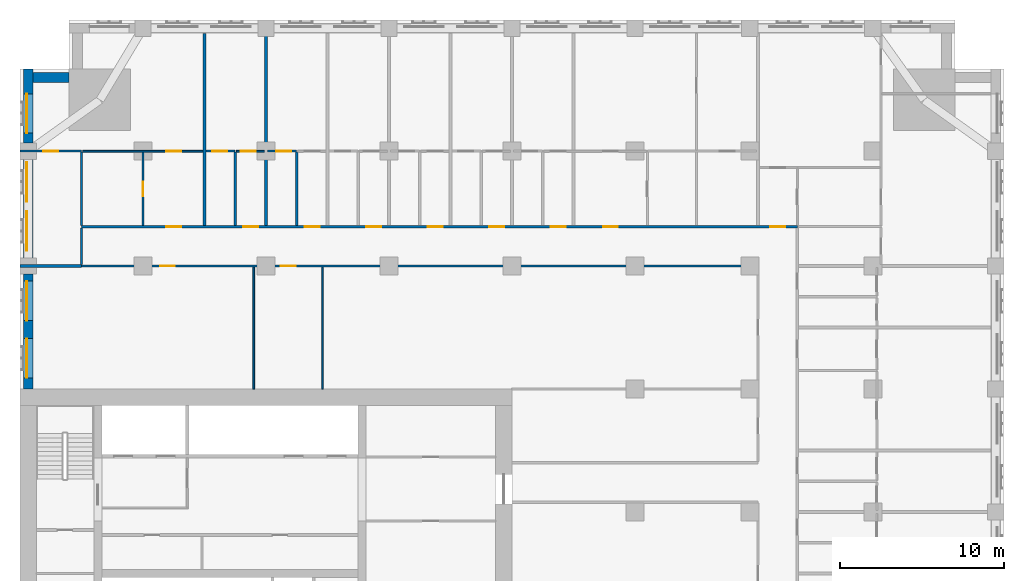
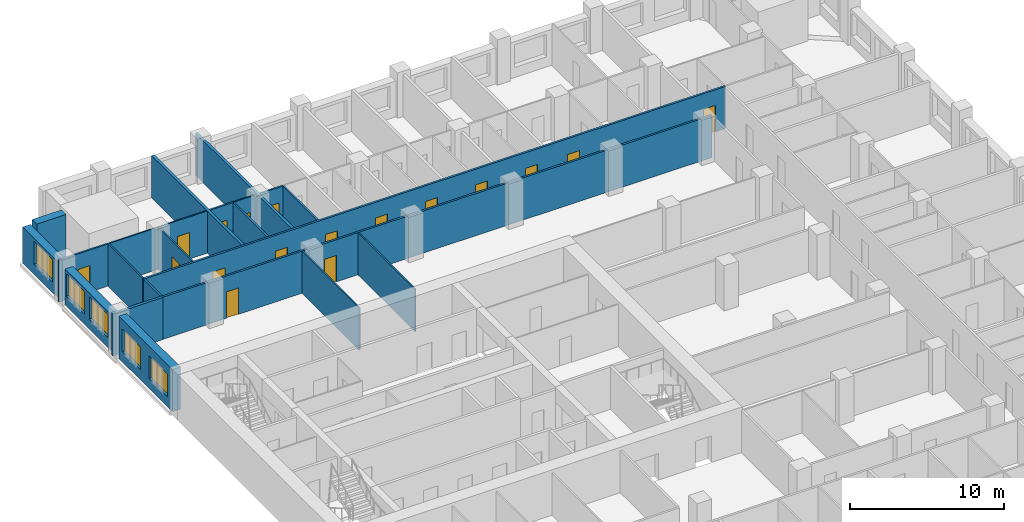
# One storey, part 9 of 15: 21 walls, 17 doors, 5 windows, 22 openings.
"""IFC4 building model written with IfcOpenShell, lengths in metres."""

from ifc_helpers import new_model, si_unit, direction, frame, frame_2d, origin, place, context, subcontext, project, spatial, rectangle, extrude, material, layer, layer_set, type_object, element, fill, save


model = new_model("IFC4")

# Units and contexts
model_context = context("Model", 3, precision=1e-05, world=origin(), true_north=direction((0.0, 1.0)))
body_context = subcontext(model_context, "Body", "Model", "MODEL_VIEW")
ifc_project = project(units=[si_unit("LENGTHUNIT", "METRE"), si_unit("AREAUNIT", "SQUARE_METRE"), si_unit("VOLUMEUNIT", "CUBIC_METRE"), si_unit("PLANEANGLEUNIT", "RADIAN"), si_unit("MASSUNIT", "GRAM", prefix="KILO")], contexts=[model_context])

# Site, building, storey
site_placement = place(None, origin())
site = spatial("IfcSite", under=ifc_project, at=site_placement, CompositionType="ELEMENT")
building_placement = place(site_placement, origin())
building = spatial("IfcBuilding", under=site, at=building_placement, Name="Tamorin Gate", CompositionType="ELEMENT")
storey_placement = place(building_placement, frame((0.0, 0.0, 97.10009765625)))
storey = spatial("IfcBuildingStorey", under=building, at=storey_placement, Name="L23", CompositionType="ELEMENT", Elevation=97.10009765625)

# Wall
ifc_material_1 = material(Name="Precast concrete C40/50", Category="concrete")
ifc_layer_1 = layer(ifc_material_1, 0.60009765625)
ifc_layer_set_1 = layer_set([ifc_layer_1], Name="Precast concrete C40/50")
wall_type_1 = type_object("IfcWallType", Name="Board-marked concrete facade panel 600", PredefinedType="SOLIDWALL", material=ifc_layer_set_1)
wall_1_placement = place(storey_placement, frame((33.0, 101.5, 0.0), z_axis=(0.0, 0.0, 1.0), x_axis=(-1.0, 0.0, 0.0)))
element("IfcWall", 1, at=wall_1_placement, inside=storey, type_object=wall_type_1, Name="Facade panel", PredefinedType="SOLIDWALL", context=body_context, shape_type="SweptSolid", body=[
    extrude(rectangle(XDim=2.199951171875, YDim=0.60009765625, at=frame_2d((1.10009765625, 0.0))), origin(), (0.0, 0.0, 1.0), 3.349853515625),
])

# Wall, opening, window
wall_2_placement = place(storey_placement, frame((30.5, 102.0, 0.0), z_axis=(0.0, 0.0, 1.0), x_axis=(0.0, -1.0, 0.0)))
wall_2 = element("IfcWall", 2, at=wall_2_placement, inside=storey, type_object=wall_type_1, Name="Facade panel", PredefinedType="SOLIDWALL", context=body_context, shape_type="SweptSolid", body=[
    extrude(rectangle(XDim=4.5, YDim=0.60009765625, at=frame_2d((2.25, 0.0))), origin(), (0.0, 0.0, 1.0), 2.849853515625),
])
opening_1_placement = place(wall_2_placement, frame((1.5, 0.0, 0.800048828125)))
opening_1 = element("IfcOpeningElement", 3, at=opening_1_placement, cuts=wall_2, Name="Opening WN1", PredefinedType="OPENING", context=body_context, shape_type="SweptSolid", body=[
    extrude(rectangle(XDim=2.39990234375, YDim=1.800048828125, at=frame_2d((1.199951171875, 0.89990234375))), frame((0.0, 0.31005859375, 0.0), z_axis=(0.0, -1.0, 0.0), x_axis=(1.0, 0.0, 0.0)), (0.0, 0.0, 1.0), 0.6201171875),
])
ifc_material_2 = material(Name="Clear glass in aluminium frame", Category="aluminium")
window_type = type_object("IfcWindowType", Name="Deep-set window 2400x1800", PartitioningType="SINGLE_PANEL", PredefinedType="WINDOW", material=ifc_material_2)
window_1_placement = place(opening_1_placement, origin())
window_1 = element("IfcWindow", 4, at=window_1_placement, inside=storey, type_object=window_type, Name="Deep-set window", OverallHeight=1.800048828125, OverallWidth=2.39990234375, PartitioningType="SINGLE_PANEL", PredefinedType="WINDOW", context=body_context, shape_type="SweptSolid", body=[
    extrude(rectangle(XDim=2.39990234375, YDim=1.800048828125, at=frame_2d((1.199951171875, 0.89990234375))), frame((0.0, -0.070068359375, 0.0), z_axis=(0.0, -1.0, 0.0), x_axis=(1.0, 0.0, 0.0)), (0.0, 0.0, 1.0), 0.06005859375),
])
fill(opening_1, window_1)

# Wall, openings, windows
wall_3_placement = place(storey_placement, frame((30.5, 96.5, 0.0), z_axis=(0.0, 0.0, 1.0), x_axis=(0.0, -1.0, 0.0)))
wall_3 = element("IfcWall", 5, at=wall_3_placement, inside=storey, type_object=wall_type_1, Name="Facade panel", PredefinedType="SOLIDWALL", context=body_context, shape_type="SweptSolid", body=[
    extrude(rectangle(XDim=6.0, YDim=0.60009765625, at=frame_2d((3.0, 0.0))), origin(), (0.0, 0.0, 1.0), 2.849853515625),
])
opening_2_placement = place(wall_3_placement, frame((3.175048828125, 0.0, 0.800048828125)))
opening_2 = element("IfcOpeningElement", 6, at=opening_2_placement, cuts=wall_3, Name="Opening WN1", PredefinedType="OPENING", context=body_context, shape_type="SweptSolid", body=[
    extrude(rectangle(XDim=2.39990234375, YDim=1.800048828125, at=frame_2d((1.199951171875, 0.89990234375))), frame((0.0, 0.31005859375, 0.0), z_axis=(0.0, -1.0, 0.0), x_axis=(1.0, 0.0, 0.0)), (0.0, 0.0, 1.0), 0.6201171875),
])
opening_3_placement = place(wall_3_placement, frame((0.175048828125, 0.0, 0.800048828125)))
opening_3 = element("IfcOpeningElement", 7, at=opening_3_placement, cuts=wall_3, Name="Opening WN1", PredefinedType="OPENING", context=body_context, shape_type="SweptSolid", body=[
    extrude(rectangle(XDim=2.39990234375, YDim=1.800048828125, at=frame_2d((1.199951171875, 0.89990234375))), frame((0.0, 0.31005859375, 0.0), z_axis=(0.0, -1.0, 0.0), x_axis=(1.0, 0.0, 0.0)), (0.0, 0.0, 1.0), 0.6201171875),
])
window_2_placement = place(opening_2_placement, origin())
window_2 = element("IfcWindow", 8, at=window_2_placement, inside=storey, type_object=window_type, Name="Deep-set window", OverallHeight=1.800048828125, OverallWidth=2.39990234375, PartitioningType="SINGLE_PANEL", PredefinedType="WINDOW", context=body_context, shape_type="SweptSolid", body=[
    extrude(rectangle(XDim=2.39990234375, YDim=1.800048828125, at=frame_2d((1.199951171875, 0.89990234375))), frame((0.0, -0.070068359375, 0.0), z_axis=(0.0, -1.0, 0.0), x_axis=(1.0, 0.0, 0.0)), (0.0, 0.0, 1.0), 0.06005859375),
])
fill(opening_2, window_2)
window_3_placement = place(opening_3_placement, origin())
window_3 = element("IfcWindow", 9, at=window_3_placement, inside=storey, type_object=window_type, Name="Deep-set window", OverallHeight=1.800048828125, OverallWidth=2.39990234375, PartitioningType="SINGLE_PANEL", PredefinedType="WINDOW", context=body_context, shape_type="SweptSolid", body=[
    extrude(rectangle(XDim=2.39990234375, YDim=1.800048828125, at=frame_2d((1.199951171875, 0.89990234375))), frame((0.0, -0.070068359375, 0.0), z_axis=(0.0, -1.0, 0.0), x_axis=(1.0, 0.0, 0.0)), (0.0, 0.0, 1.0), 0.06005859375),
])
fill(opening_3, window_3)

wall_4_placement = place(storey_placement, frame((30.5, 89.5, 0.0), z_axis=(0.0, 0.0, 1.0), x_axis=(0.0, -1.0, 0.0)))
wall_4 = element("IfcWall", 10, at=wall_4_placement, inside=storey, type_object=wall_type_1, Name="Facade panel", PredefinedType="SOLIDWALL", context=body_context, shape_type="SweptSolid", body=[
    extrude(rectangle(XDim=7.0, YDim=0.60009765625, at=frame_2d((3.5, 0.0))), origin(), (0.0, 0.0, 1.0), 3.349853515625),
])
opening_4_placement = place(wall_4_placement, frame((3.925048828125, 0.0, 0.800048828125)))
opening_4 = element("IfcOpeningElement", 11, at=opening_4_placement, cuts=wall_4, Name="Opening WN1", PredefinedType="OPENING", context=body_context, shape_type="SweptSolid", body=[
    extrude(rectangle(XDim=2.39990234375, YDim=1.800048828125, at=frame_2d((1.199951171875, 0.89990234375))), frame((0.0, 0.31005859375, 0.0), z_axis=(0.0, -1.0, 0.0), x_axis=(1.0, 0.0, 0.0)), (0.0, 0.0, 1.0), 0.6201171875),
])
opening_5_placement = place(wall_4_placement, frame((0.425048828125, 0.0, 0.800048828125)))
opening_5 = element("IfcOpeningElement", 12, at=opening_5_placement, cuts=wall_4, Name="Opening WN1", PredefinedType="OPENING", context=body_context, shape_type="SweptSolid", body=[
    extrude(rectangle(XDim=2.39990234375, YDim=1.800048828125, at=frame_2d((1.199951171875, 0.89990234375))), frame((0.0, 0.31005859375, 0.0), z_axis=(0.0, -1.0, 0.0), x_axis=(1.0, 0.0, 0.0)), (0.0, 0.0, 1.0), 0.6201171875),
])
window_4_placement = place(opening_4_placement, origin())
window_4 = element("IfcWindow", 13, at=window_4_placement, inside=storey, type_object=window_type, Name="Deep-set window", OverallHeight=1.800048828125, OverallWidth=2.39990234375, PartitioningType="SINGLE_PANEL", PredefinedType="WINDOW", context=body_context, shape_type="SweptSolid", body=[
    extrude(rectangle(XDim=2.39990234375, YDim=1.800048828125, at=frame_2d((1.199951171875, 0.89990234375))), frame((0.0, -0.070068359375, 0.0), z_axis=(0.0, -1.0, 0.0), x_axis=(1.0, 0.0, 0.0)), (0.0, 0.0, 1.0), 0.06005859375),
])
fill(opening_4, window_4)
window_5_placement = place(opening_5_placement, origin())
window_5 = element("IfcWindow", 14, at=window_5_placement, inside=storey, type_object=window_type, Name="Deep-set window", OverallHeight=1.800048828125, OverallWidth=2.39990234375, PartitioningType="SINGLE_PANEL", PredefinedType="WINDOW", context=body_context, shape_type="SweptSolid", body=[
    extrude(rectangle(XDim=2.39990234375, YDim=1.800048828125, at=frame_2d((1.199951171875, 0.89990234375))), frame((0.0, -0.070068359375, 0.0), z_axis=(0.0, -1.0, 0.0), x_axis=(1.0, 0.0, 0.0)), (0.0, 0.0, 1.0), 0.06005859375),
])
fill(opening_5, window_5)

# Wall, openings, doors
ifc_material_3 = material(Name="Gypsum board partition")
ifc_layer_2 = layer(ifc_material_3, 0.14990234375)
ifc_layer_set_2 = layer_set([ifc_layer_2], Name="Corridor wall 150")
wall_type_2 = type_object("IfcWallType", Name="Corridor wall 150", PredefinedType="PARTITIONING", material=ifc_layer_set_2)
wall_5_placement = place(storey_placement, frame((33.75, 90.0, 0.0), z_axis=(0.0, 0.0, 1.0), x_axis=(1.0, 0.0, 0.0)))
wall_5 = element("IfcWall", 15, at=wall_5_placement, inside=storey, type_object=wall_type_2, Name="Corridor wall 150", PredefinedType="PARTITIONING", context=body_context, shape_type="SweptSolid", body=[
    extrude(rectangle(XDim=41.25, YDim=0.14990234375, at=frame_2d((20.625, 0.0))), origin(), (0.0, 0.0, 1.0), 3.349853515625),
])
opening_6_placement = place(wall_5_placement, frame((4.800048828125, 0.0, 0.0)))
opening_6 = element("IfcOpeningElement", 16, at=opening_6_placement, cuts=wall_5, Name="Opening DH6092", PredefinedType="OPENING", context=body_context, shape_type="SweptSolid", body=[
    extrude(rectangle(XDim=0.89990234375, YDim=2.10009765625, at=frame_2d((0.449951171875, 1.050048828125))), frame((0.0, 0.0849609375, 0.0), z_axis=(0.0, -1.0, 0.0), x_axis=(1.0, 0.0, 0.0)), (0.0, 0.0, 1.0), 0.169921875),
])
opening_7_placement = place(wall_5_placement, frame((12.14990234375, 0.0, 0.0)))
opening_7 = element("IfcOpeningElement", 17, at=opening_7_placement, cuts=wall_5, Name="Opening DH6093", PredefinedType="OPENING", context=body_context, shape_type="SweptSolid", body=[
    extrude(rectangle(XDim=0.89990234375, YDim=2.10009765625, at=frame_2d((0.449951171875, 1.050048828125))), frame((0.0, 0.0849609375, 0.0), z_axis=(0.0, -1.0, 0.0), x_axis=(1.0, 0.0, 0.0)), (0.0, 0.0, 1.0), 0.169921875),
])
ifc_material_4 = material(Name="Timber door leaf", Category="wood")
door_type_1 = type_object("IfcDoorType", Name="Door 900 x 2100 FD30S", OperationType="NOTDEFINED", PredefinedType="DOOR", material=ifc_material_4)
door_1_placement = place(opening_6_placement, origin())
door_1 = element("IfcDoor", 18, at=door_1_placement, inside=storey, type_object=door_type_1, Name="Door DH6092", OperationType="SINGLE_SWING_RIGHT", OverallHeight=2.10009765625, OverallWidth=0.89990234375, PredefinedType="DOOR", context=body_context, shape_type="SweptSolid", body=[
    extrude(rectangle(XDim=0.89990234375, YDim=2.10009765625, at=frame_2d((0.449951171875, 1.050048828125))), frame((0.0, 0.02490234375, 0.0), z_axis=(0.0, -1.0, 0.0), x_axis=(1.0, 0.0, 0.0)), (0.0, 0.0, 1.0), 0.050048828125),
])
fill(opening_6, door_1)
door_2_placement = place(opening_7_placement, origin())
door_2 = element("IfcDoor", 19, at=door_2_placement, inside=storey, type_object=door_type_1, Name="Door DH6093", OperationType="SINGLE_SWING_LEFT", OverallHeight=2.10009765625, OverallWidth=0.89990234375, PredefinedType="DOOR", context=body_context, shape_type="SweptSolid", body=[
    extrude(rectangle(XDim=0.89990234375, YDim=2.10009765625, at=frame_2d((0.449951171875, 1.050048828125))), frame((0.0, 0.02490234375, 0.0), z_axis=(0.0, -1.0, 0.0), x_axis=(1.0, 0.0, 0.0)), (0.0, 0.0, 1.0), 0.050048828125),
])
fill(opening_7, door_2)

wall_6_placement = place(storey_placement, frame((33.75, 92.39990234375, 0.0), z_axis=(0.0, 0.0, 1.0), x_axis=(1.0, 0.0, 0.0)))
wall_6 = element("IfcWall", 20, at=wall_6_placement, inside=storey, type_object=wall_type_2, Name="Corridor wall 150", PredefinedType="PARTITIONING", context=body_context, shape_type="SweptSolid", body=[
    extrude(rectangle(XDim=43.64990234375, YDim=0.14990234375, at=frame_2d((21.824951171875, 0.0))), origin(), (0.0, 0.0, 1.0), 3.349853515625),
])
opening_8_placement = place(wall_6_placement, frame((5.175048828125, 0.0, 0.0)))
opening_8 = element("IfcOpeningElement", 21, at=opening_8_placement, cuts=wall_6, Name="Opening DH6026", PredefinedType="OPENING", context=body_context, shape_type="SweptSolid", body=[
    extrude(rectangle(XDim=0.89990234375, YDim=2.10009765625, at=frame_2d((0.449951171875, 1.050048828125))), frame((0.0, 0.0849609375, 0.0), z_axis=(0.0, -1.0, 0.0), x_axis=(1.0, 0.0, 0.0)), (0.0, 0.0, 1.0), 0.169921875),
])
opening_9_placement = place(wall_6_placement, frame((9.862548828125, 0.0, 0.0)))
opening_9 = element("IfcOpeningElement", 22, at=opening_9_placement, cuts=wall_6, Name="Opening DH6029", PredefinedType="OPENING", context=body_context, shape_type="SweptSolid", body=[
    extrude(rectangle(XDim=0.89990234375, YDim=2.10009765625, at=frame_2d((0.449951171875, 1.050048828125))), frame((0.0, 0.0849609375, 0.0), z_axis=(0.0, -1.0, 0.0), x_axis=(1.0, 0.0, 0.0)), (0.0, 0.0, 1.0), 0.169921875),
])
opening_10_placement = place(wall_6_placement, frame((13.612548828125, 0.0, 0.0)))
opening_10 = element("IfcOpeningElement", 23, at=opening_10_placement, cuts=wall_6, Name="Opening DH6032", PredefinedType="OPENING", context=body_context, shape_type="SweptSolid", body=[
    extrude(rectangle(XDim=0.89990234375, YDim=2.10009765625, at=frame_2d((0.449951171875, 1.050048828125))), frame((0.0, 0.0849609375, 0.0), z_axis=(0.0, -1.0, 0.0), x_axis=(1.0, 0.0, 0.0)), (0.0, 0.0, 1.0), 0.169921875),
])
opening_11_placement = place(wall_6_placement, frame((17.362548828125, 0.0, 0.0)))
opening_11 = element("IfcOpeningElement", 24, at=opening_11_placement, cuts=wall_6, Name="Opening DH6035", PredefinedType="OPENING", context=body_context, shape_type="SweptSolid", body=[
    extrude(rectangle(XDim=0.89990234375, YDim=2.10009765625, at=frame_2d((0.449951171875, 1.050048828125))), frame((0.0, 0.0849609375, 0.0), z_axis=(0.0, -1.0, 0.0), x_axis=(1.0, 0.0, 0.0)), (0.0, 0.0, 1.0), 0.169921875),
])
opening_12_placement = place(wall_6_placement, frame((21.112548828125, 0.0, 0.0)))
opening_12 = element("IfcOpeningElement", 25, at=opening_12_placement, cuts=wall_6, Name="Opening DH6038", PredefinedType="OPENING", context=body_context, shape_type="SweptSolid", body=[
    extrude(rectangle(XDim=0.89990234375, YDim=2.10009765625, at=frame_2d((0.449951171875, 1.050048828125))), frame((0.0, 0.0849609375, 0.0), z_axis=(0.0, -1.0, 0.0), x_axis=(1.0, 0.0, 0.0)), (0.0, 0.0, 1.0), 0.169921875),
])
opening_13_placement = place(wall_6_placement, frame((24.862548828125, 0.0, 0.0)))
opening_13 = element("IfcOpeningElement", 26, at=opening_13_placement, cuts=wall_6, Name="Opening DH6041", PredefinedType="OPENING", context=body_context, shape_type="SweptSolid", body=[
    extrude(rectangle(XDim=0.89990234375, YDim=2.10009765625, at=frame_2d((0.449951171875, 1.050048828125))), frame((0.0, 0.0849609375, 0.0), z_axis=(0.0, -1.0, 0.0), x_axis=(1.0, 0.0, 0.0)), (0.0, 0.0, 1.0), 0.169921875),
])
opening_14_placement = place(wall_6_placement, frame((28.612548828125, 0.0, 0.0)))
opening_14 = element("IfcOpeningElement", 27, at=opening_14_placement, cuts=wall_6, Name="Opening DH6044", PredefinedType="OPENING", context=body_context, shape_type="SweptSolid", body=[
    extrude(rectangle(XDim=0.89990234375, YDim=2.10009765625, at=frame_2d((0.449951171875, 1.050048828125))), frame((0.0, 0.0849609375, 0.0), z_axis=(0.0, -1.0, 0.0), x_axis=(1.0, 0.0, 0.0)), (0.0, 0.0, 1.0), 0.169921875),
])
opening_15_placement = place(wall_6_placement, frame((31.800048828125, 0.0, 0.0)))
opening_15 = element("IfcOpeningElement", 28, at=opening_15_placement, cuts=wall_6, Name="Opening DH6046", PredefinedType="OPENING", context=body_context, shape_type="SweptSolid", body=[
    extrude(rectangle(XDim=0.89990234375, YDim=2.10009765625, at=frame_2d((0.449951171875, 1.050048828125))), frame((0.0, 0.0849609375, 0.0), z_axis=(0.0, -1.0, 0.0), x_axis=(1.0, 0.0, 0.0)), (0.0, 0.0, 1.0), 0.169921875),
])
opening_16_placement = place(wall_6_placement, frame((42.0, 0.0, 0.0)))
opening_16 = element("IfcOpeningElement", 29, at=opening_16_placement, cuts=wall_6, Name="Opening DH6080", PredefinedType="OPENING", context=body_context, shape_type="SweptSolid", body=[
    extrude(rectangle(XDim=0.89990234375, YDim=2.10009765625, at=frame_2d((0.449951171875, 1.050048828125))), frame((0.0, 0.0849609375, 0.0), z_axis=(0.0, -1.0, 0.0), x_axis=(1.0, 0.0, 0.0)), (0.0, 0.0, 1.0), 0.169921875),
])
door_3_placement = place(opening_8_placement, origin())
door_3 = element("IfcDoor", 30, at=door_3_placement, inside=storey, type_object=door_type_1, Name="Door DH6026", OperationType="SINGLE_SWING_LEFT", OverallHeight=2.10009765625, OverallWidth=0.89990234375, PredefinedType="DOOR", context=body_context, shape_type="SweptSolid", body=[
    extrude(rectangle(XDim=0.89990234375, YDim=2.10009765625, at=frame_2d((0.449951171875, 1.050048828125))), frame((0.0, 0.02490234375, 0.0), z_axis=(0.0, -1.0, 0.0), x_axis=(1.0, 0.0, 0.0)), (0.0, 0.0, 1.0), 0.050048828125),
])
fill(opening_8, door_3)
door_4_placement = place(opening_9_placement, origin())
door_4 = element("IfcDoor", 31, at=door_4_placement, inside=storey, type_object=door_type_1, Name="Door DH6029", OperationType="SINGLE_SWING_LEFT", OverallHeight=2.10009765625, OverallWidth=0.89990234375, PredefinedType="DOOR", context=body_context, shape_type="SweptSolid", body=[
    extrude(rectangle(XDim=0.89990234375, YDim=2.10009765625, at=frame_2d((0.449951171875, 1.050048828125))), frame((0.0, 0.02490234375, 0.0), z_axis=(0.0, -1.0, 0.0), x_axis=(1.0, 0.0, 0.0)), (0.0, 0.0, 1.0), 0.050048828125),
])
fill(opening_9, door_4)
door_5_placement = place(opening_10_placement, origin())
door_5 = element("IfcDoor", 32, at=door_5_placement, inside=storey, type_object=door_type_1, Name="Door DH6032", OperationType="SINGLE_SWING_LEFT", OverallHeight=2.10009765625, OverallWidth=0.89990234375, PredefinedType="DOOR", context=body_context, shape_type="SweptSolid", body=[
    extrude(rectangle(XDim=0.89990234375, YDim=2.10009765625, at=frame_2d((0.449951171875, 1.050048828125))), frame((0.0, 0.02490234375, 0.0), z_axis=(0.0, -1.0, 0.0), x_axis=(1.0, 0.0, 0.0)), (0.0, 0.0, 1.0), 0.050048828125),
])
fill(opening_10, door_5)
door_6_placement = place(opening_11_placement, origin())
door_6 = element("IfcDoor", 33, at=door_6_placement, inside=storey, type_object=door_type_1, Name="Door DH6035", OperationType="SINGLE_SWING_LEFT", OverallHeight=2.10009765625, OverallWidth=0.89990234375, PredefinedType="DOOR", context=body_context, shape_type="SweptSolid", body=[
    extrude(rectangle(XDim=0.89990234375, YDim=2.10009765625, at=frame_2d((0.449951171875, 1.050048828125))), frame((0.0, 0.02490234375, 0.0), z_axis=(0.0, -1.0, 0.0), x_axis=(1.0, 0.0, 0.0)), (0.0, 0.0, 1.0), 0.050048828125),
])
fill(opening_11, door_6)
door_7_placement = place(opening_12_placement, origin())
door_7 = element("IfcDoor", 34, at=door_7_placement, inside=storey, type_object=door_type_1, Name="Door DH6038", OperationType="SINGLE_SWING_LEFT", OverallHeight=2.10009765625, OverallWidth=0.89990234375, PredefinedType="DOOR", context=body_context, shape_type="SweptSolid", body=[
    extrude(rectangle(XDim=0.89990234375, YDim=2.10009765625, at=frame_2d((0.449951171875, 1.050048828125))), frame((0.0, 0.02490234375, 0.0), z_axis=(0.0, -1.0, 0.0), x_axis=(1.0, 0.0, 0.0)), (0.0, 0.0, 1.0), 0.050048828125),
])
fill(opening_12, door_7)
door_8_placement = place(opening_13_placement, origin())
door_8 = element("IfcDoor", 35, at=door_8_placement, inside=storey, type_object=door_type_1, Name="Door DH6041", OperationType="SINGLE_SWING_LEFT", OverallHeight=2.10009765625, OverallWidth=0.89990234375, PredefinedType="DOOR", context=body_context, shape_type="SweptSolid", body=[
    extrude(rectangle(XDim=0.89990234375, YDim=2.10009765625, at=frame_2d((0.449951171875, 1.050048828125))), frame((0.0, 0.02490234375, 0.0), z_axis=(0.0, -1.0, 0.0), x_axis=(1.0, 0.0, 0.0)), (0.0, 0.0, 1.0), 0.050048828125),
])
fill(opening_13, door_8)
door_9_placement = place(opening_14_placement, origin())
door_9 = element("IfcDoor", 36, at=door_9_placement, inside=storey, type_object=door_type_1, Name="Door DH6044", OperationType="SINGLE_SWING_LEFT", OverallHeight=2.10009765625, OverallWidth=0.89990234375, PredefinedType="DOOR", context=body_context, shape_type="SweptSolid", body=[
    extrude(rectangle(XDim=0.89990234375, YDim=2.10009765625, at=frame_2d((0.449951171875, 1.050048828125))), frame((0.0, 0.02490234375, 0.0), z_axis=(0.0, -1.0, 0.0), x_axis=(1.0, 0.0, 0.0)), (0.0, 0.0, 1.0), 0.050048828125),
])
fill(opening_14, door_9)
door_10_placement = place(opening_15_placement, origin())
door_10 = element("IfcDoor", 37, at=door_10_placement, inside=storey, type_object=door_type_1, Name="Door DH6046", OperationType="SINGLE_SWING_LEFT", OverallHeight=2.10009765625, OverallWidth=0.89990234375, PredefinedType="DOOR", context=body_context, shape_type="SweptSolid", body=[
    extrude(rectangle(XDim=0.89990234375, YDim=2.10009765625, at=frame_2d((0.449951171875, 1.050048828125))), frame((0.0, 0.02490234375, 0.0), z_axis=(0.0, -1.0, 0.0), x_axis=(1.0, 0.0, 0.0)), (0.0, 0.0, 1.0), 0.050048828125),
])
fill(opening_15, door_10)
door_11_placement = place(opening_16_placement, origin())
door_11 = element("IfcDoor", 38, at=door_11_placement, inside=storey, type_object=door_type_1, Name="Door DH6080", OperationType="SINGLE_SWING_RIGHT", OverallHeight=2.10009765625, OverallWidth=0.89990234375, PredefinedType="DOOR", context=body_context, shape_type="SweptSolid", body=[
    extrude(rectangle(XDim=0.89990234375, YDim=2.10009765625, at=frame_2d((0.449951171875, 1.050048828125))), frame((0.0, 0.02490234375, 0.0), z_axis=(0.0, -1.0, 0.0), x_axis=(1.0, 0.0, 0.0)), (0.0, 0.0, 1.0), 0.050048828125),
])
fill(opening_16, door_11)

# Walls
wall_7_placement = place(storey_placement, frame((33.75, 90.10009765625, 0.0), z_axis=(0.0, 0.0, 1.0), x_axis=(0.0, 1.0, 0.0)))
element("IfcWall", 39, at=wall_7_placement, inside=storey, type_object=wall_type_2, Name="Corridor wall 150", PredefinedType="PARTITIONING", context=body_context, shape_type="SweptSolid", body=[
    extrude(rectangle(XDim=2.224853515625, YDim=0.14990234375, at=frame_2d((1.1123046875, 0.0))), origin(), (0.0, 0.0, 1.0), 3.349853515625),
])
ifc_layer_3 = layer(ifc_material_3, 0.199951171875)
ifc_layer_set_3 = layer_set([ifc_layer_3], Name="Demising wall 200")
wall_type_3 = type_object("IfcWallType", Name="Demising wall 200", PredefinedType="PARTITIONING", material=ifc_layer_set_3)
wall_8_placement = place(storey_placement, frame((30.0, 90.0, 0.0), z_axis=(0.0, 0.0, 1.0), x_axis=(1.0, 0.0, 0.0)))
element("IfcWall", 40, at=wall_8_placement, inside=storey, type_object=wall_type_3, Name="Demising wall 200", PredefinedType="PARTITIONING", context=body_context, shape_type="SweptSolid", body=[
    extrude(rectangle(XDim=3.75, YDim=0.199951171875, at=frame_2d((1.875, 0.0))), origin(), (0.0, 0.0, 1.0), 3.349853515625),
])
wall_9_placement = place(storey_placement, frame((41.25, 92.47509765625, 0.0), z_axis=(0.0, 0.0, 1.0), x_axis=(0.0, 1.0, 0.0)))
element("IfcWall", 41, at=wall_9_placement, inside=storey, type_object=wall_type_3, Name="Demising wall 200", PredefinedType="PARTITIONING", context=body_context, shape_type="SweptSolid", body=[
    extrude(rectangle(XDim=11.71484375, YDim=0.199951171875, at=frame_2d((5.857421875, 0.0))), origin(), (0.0, 0.0, 1.0), 3.349853515625),
])
wall_10_placement = place(storey_placement, frame((45.0, 92.47509765625, 0.0), z_axis=(0.0, 0.0, 1.0), x_axis=(0.0, 1.0, 0.0)))
element("IfcWall", 42, at=wall_10_placement, inside=storey, type_object=wall_type_3, Name="Demising wall 200", PredefinedType="PARTITIONING", context=body_context, shape_type="SweptSolid", body=[
    extrude(rectangle(XDim=12.52490234375, YDim=0.199951171875, at=frame_2d((6.262451171875, 0.0))), origin(), (0.0, 0.0, 1.0), 3.349853515625),
])

# Wall, opening, door
ifc_layer_4 = layer(ifc_material_3, 0.10009765625)
ifc_layer_set_4 = layer_set([ifc_layer_4], Name="Room partition 100")
wall_type_4 = type_object("IfcWallType", Name="Room partition 100", PredefinedType="PARTITIONING", material=ifc_layer_set_4)
wall_11_placement = place(storey_placement, frame((33.8125, 97.0, 0.0), z_axis=(0.0, 0.0, 1.0), x_axis=(1.0, 0.0, 0.0)))
wall_11 = element("IfcWall", 43, at=wall_11_placement, inside=storey, type_object=wall_type_4, Name="Room partition 100", PredefinedType="PARTITIONING", context=body_context, shape_type="SweptSolid", body=[
    extrude(rectangle(XDim=7.33740234375, YDim=0.10009765625, at=frame_2d((3.668701171875, 0.0))), origin(), (0.0, 0.0, 1.0), 3.349853515625),
])
opening_17_placement = place(wall_11_placement, frame((5.112548828125, 0.0, 0.0)))
opening_17 = element("IfcOpeningElement", 44, at=opening_17_placement, cuts=wall_11, Name="Opening DH6027", PredefinedType="OPENING", context=body_context, shape_type="SweptSolid", body=[
    extrude(rectangle(XDim=0.89990234375, YDim=2.10009765625, at=frame_2d((0.449951171875, 1.050048828125))), frame((0.0, 0.06005859375, 0.0), z_axis=(0.0, -1.0, 0.0), x_axis=(1.0, 0.0, 0.0)), (0.0, 0.0, 1.0), 0.1201171875),
])
door_type_2 = type_object("IfcDoorType", Name="Door 900 x 2100", OperationType="NOTDEFINED", PredefinedType="DOOR", material=ifc_material_4)
door_12_placement = place(opening_17_placement, origin())
door_12 = element("IfcDoor", 45, at=door_12_placement, inside=storey, type_object=door_type_2, Name="Door DH6027", OperationType="SINGLE_SWING_RIGHT", OverallHeight=2.10009765625, OverallWidth=0.89990234375, PredefinedType="DOOR", context=body_context, shape_type="SweptSolid", body=[
    extrude(rectangle(XDim=0.89990234375, YDim=2.10009765625, at=frame_2d((0.449951171875, 1.050048828125))), frame((0.0, 0.02490234375, 0.0), z_axis=(0.0, -1.0, 0.0), x_axis=(1.0, 0.0, 0.0)), (0.0, 0.0, 1.0), 0.050048828125),
])
fill(opening_17, door_12)

wall_12_placement = place(storey_placement, frame((43.1875, 97.0, 0.0), z_axis=(0.0, 0.0, 1.0), x_axis=(1.0, 0.0, 0.0)))
wall_12 = element("IfcWall", 46, at=wall_12_placement, inside=storey, type_object=wall_type_4, Name="Room partition 100", PredefinedType="PARTITIONING", context=body_context, shape_type="SweptSolid", body=[
    extrude(rectangle(XDim=1.71240234375, YDim=0.10009765625, at=frame_2d((0.856201171875, 0.0))), origin(), (0.0, 0.0, 1.0), 3.349853515625),
])
opening_18_placement = place(wall_12_placement, frame((0.27490234375, 0.0, 0.0)))
opening_18 = element("IfcOpeningElement", 47, at=opening_18_placement, cuts=wall_12, Name="Opening DH6030", PredefinedType="OPENING", context=body_context, shape_type="SweptSolid", body=[
    extrude(rectangle(XDim=0.89990234375, YDim=2.10009765625, at=frame_2d((0.449951171875, 1.050048828125))), frame((0.0, 0.06005859375, 0.0), z_axis=(0.0, -1.0, 0.0), x_axis=(1.0, 0.0, 0.0)), (0.0, 0.0, 1.0), 0.1201171875),
])
door_13_placement = place(opening_18_placement, origin())
door_13 = element("IfcDoor", 48, at=door_13_placement, inside=storey, type_object=door_type_2, Name="Door DH6030", OperationType="SINGLE_SWING_RIGHT", OverallHeight=2.10009765625, OverallWidth=0.89990234375, PredefinedType="DOOR", context=body_context, shape_type="SweptSolid", body=[
    extrude(rectangle(XDim=0.89990234375, YDim=2.10009765625, at=frame_2d((0.449951171875, 1.050048828125))), frame((0.0, 0.02490234375, 0.0), z_axis=(0.0, -1.0, 0.0), x_axis=(1.0, 0.0, 0.0)), (0.0, 0.0, 1.0), 0.050048828125),
])
fill(opening_18, door_13)

wall_13_placement = place(storey_placement, frame((37.5, 92.47509765625, 0.0), z_axis=(0.0, 0.0, 1.0), x_axis=(0.0, 1.0, 0.0)))
wall_13 = element("IfcWall", 49, at=wall_13_placement, inside=storey, type_object=wall_type_4, Name="Room partition 100", PredefinedType="PARTITIONING", context=body_context, shape_type="SweptSolid", body=[
    extrude(rectangle(XDim=4.474853515625, YDim=0.10009765625, at=frame_2d((2.2373046875, 0.0))), origin(), (0.0, 0.0, 1.0), 3.349853515625),
])
opening_19_placement = place(wall_13_placement, frame((1.77490234375, 0.0, 0.0)))
opening_19 = element("IfcOpeningElement", 50, at=opening_19_placement, cuts=wall_13, Name="Opening DH6025", PredefinedType="OPENING", context=body_context, shape_type="SweptSolid", body=[
    extrude(rectangle(XDim=0.89990234375, YDim=2.10009765625, at=frame_2d((0.449951171875, 1.050048828125))), frame((0.0, 0.06005859375, 0.0), z_axis=(0.0, -1.0, 0.0), x_axis=(1.0, 0.0, 0.0)), (0.0, 0.0, 1.0), 0.1201171875),
])
door_14_placement = place(opening_19_placement, origin())
door_14 = element("IfcDoor", 51, at=door_14_placement, inside=storey, type_object=door_type_2, Name="Door DH6025", OperationType="SINGLE_SWING_RIGHT", OverallHeight=2.10009765625, OverallWidth=0.89990234375, PredefinedType="DOOR", context=body_context, shape_type="SweptSolid", body=[
    extrude(rectangle(XDim=0.89990234375, YDim=2.10009765625, at=frame_2d((0.449951171875, 1.050048828125))), frame((0.0, 0.02490234375, 0.0), z_axis=(0.0, -1.0, 0.0), x_axis=(1.0, 0.0, 0.0)), (0.0, 0.0, 1.0), 0.050048828125),
])
fill(opening_19, door_14)

# Walls
for number, where, z_axis, x_axis, name in (
    (52, (44.25, 82.5, 0.0), (0.0, 0.0, 1.0), (0.0, 1.0, 0.0), "Room partition 100"),
    (53, (48.449951171875, 82.5, 0.0), (0.0, 0.0, 1.0), (0.0, 1.0, 0.0), "Room partition 100"),
):
    element("IfcWall", number, at=place(storey_placement, frame(where, z_axis=z_axis, x_axis=x_axis)), inside=storey, type_object=wall_type_4, Name=name, PredefinedType="PARTITIONING", context=body_context, shape_type="SweptSolid", body=[
        extrude(rectangle(XDim=7.425048828125, YDim=0.10009765625, at=frame_2d((3.71240234375, 0.0))), origin(), (0.0, 0.0, 1.0), 3.349853515625),
    ])

# Wall, opening, door
ifc_layer_5 = layer(ifc_material_3, 0.125)
ifc_layer_set_5 = layer_set([ifc_layer_5], Name="Wet wall 125")
wall_type_5 = type_object("IfcWallType", Name="Wet wall 125", PredefinedType="PARTITIONING", material=ifc_layer_set_5)
wall_14_placement = place(storey_placement, frame((30.0, 97.0, 0.0), z_axis=(0.0, 0.0, 1.0), x_axis=(1.0, 0.0, 0.0)))
wall_14 = element("IfcWall", 54, at=wall_14_placement, inside=storey, type_object=wall_type_5, Name="Wet wall 125", PredefinedType="PARTITIONING", context=body_context, shape_type="SweptSolid", body=[
    extrude(rectangle(XDim=3.75, YDim=0.125, at=frame_2d((1.875, 0.0))), origin(), (0.0, 0.0, 1.0), 3.349853515625),
])
opening_20_placement = place(wall_14_placement, frame((1.425048828125, 0.0, 0.0)))
opening_20 = element("IfcOpeningElement", 55, at=opening_20_placement, cuts=wall_14, Name="Opening DH6024", PredefinedType="OPENING", context=body_context, shape_type="SweptSolid", body=[
    extrude(rectangle(XDim=0.89990234375, YDim=2.10009765625, at=frame_2d((0.449951171875, 1.050048828125))), frame((0.0, 0.072509765625, 0.0), z_axis=(0.0, -1.0, 0.0), x_axis=(1.0, 0.0, 0.0)), (0.0, 0.0, 1.0), 0.14501953125),
])
door_15_placement = place(opening_20_placement, origin())
door_15 = element("IfcDoor", 56, at=door_15_placement, inside=storey, type_object=door_type_2, Name="Door DH6024", OperationType="SINGLE_SWING_RIGHT", OverallHeight=2.10009765625, OverallWidth=0.89990234375, PredefinedType="DOOR", context=body_context, shape_type="SweptSolid", body=[
    extrude(rectangle(XDim=0.89990234375, YDim=2.10009765625, at=frame_2d((0.449951171875, 1.050048828125))), frame((0.0, 0.02490234375, 0.0), z_axis=(0.0, -1.0, 0.0), x_axis=(1.0, 0.0, 0.0)), (0.0, 0.0, 1.0), 0.050048828125),
])
fill(opening_20, door_15)

wall_15_placement = place(storey_placement, frame((41.35009765625, 97.0, 0.0), z_axis=(0.0, 0.0, 1.0), x_axis=(1.0, 0.0, 0.0)))
wall_15 = element("IfcWall", 57, at=wall_15_placement, inside=storey, type_object=wall_type_5, Name="Wet wall 125", PredefinedType="PARTITIONING", context=body_context, shape_type="SweptSolid", body=[
    extrude(rectangle(XDim=1.77490234375, YDim=0.125, at=frame_2d((0.887451171875, 0.0))), origin(), (0.0, 0.0, 1.0), 3.349853515625),
])
opening_21_placement = place(wall_15_placement, frame((0.387451171875, 0.0, 0.0)))
opening_21 = element("IfcOpeningElement", 58, at=opening_21_placement, cuts=wall_15, Name="Opening DH6028", PredefinedType="OPENING", context=body_context, shape_type="SweptSolid", body=[
    extrude(rectangle(XDim=0.89990234375, YDim=2.10009765625, at=frame_2d((0.449951171875, 1.050048828125))), frame((0.0, 0.072509765625, 0.0), z_axis=(0.0, -1.0, 0.0), x_axis=(1.0, 0.0, 0.0)), (0.0, 0.0, 1.0), 0.14501953125),
])
door_16_placement = place(opening_21_placement, origin())
door_16 = element("IfcDoor", 59, at=door_16_placement, inside=storey, type_object=door_type_2, Name="Door DH6028", OperationType="SINGLE_SWING_RIGHT", OverallHeight=2.10009765625, OverallWidth=0.89990234375, PredefinedType="DOOR", context=body_context, shape_type="SweptSolid", body=[
    extrude(rectangle(XDim=0.89990234375, YDim=2.10009765625, at=frame_2d((0.449951171875, 1.050048828125))), frame((0.0, 0.02490234375, 0.0), z_axis=(0.0, -1.0, 0.0), x_axis=(1.0, 0.0, 0.0)), (0.0, 0.0, 1.0), 0.050048828125),
])
fill(opening_21, door_16)

wall_16_placement = place(storey_placement, frame((45.10009765625, 97.0, 0.0), z_axis=(0.0, 0.0, 1.0), x_axis=(1.0, 0.0, 0.0)))
wall_16 = element("IfcWall", 60, at=wall_16_placement, inside=storey, type_object=wall_type_5, Name="Wet wall 125", PredefinedType="PARTITIONING", context=body_context, shape_type="SweptSolid", body=[
    extrude(rectangle(XDim=1.77490234375, YDim=0.125, at=frame_2d((0.887451171875, 0.0))), origin(), (0.0, 0.0, 1.0), 3.349853515625),
])
opening_22_placement = place(wall_16_placement, frame((0.53759765625, 0.0, 0.0)))
opening_22 = element("IfcOpeningElement", 61, at=opening_22_placement, cuts=wall_16, Name="Opening DH6031", PredefinedType="OPENING", context=body_context, shape_type="SweptSolid", body=[
    extrude(rectangle(XDim=0.89990234375, YDim=2.10009765625, at=frame_2d((0.449951171875, 1.050048828125))), frame((0.0, 0.072509765625, 0.0), z_axis=(0.0, -1.0, 0.0), x_axis=(1.0, 0.0, 0.0)), (0.0, 0.0, 1.0), 0.14501953125),
])
door_17_placement = place(opening_22_placement, origin())
door_17 = element("IfcDoor", 62, at=door_17_placement, inside=storey, type_object=door_type_2, Name="Door DH6031", OperationType="SINGLE_SWING_LEFT", OverallHeight=2.10009765625, OverallWidth=0.89990234375, PredefinedType="DOOR", context=body_context, shape_type="SweptSolid", body=[
    extrude(rectangle(XDim=0.89990234375, YDim=2.10009765625, at=frame_2d((0.449951171875, 1.050048828125))), frame((0.0, 0.02490234375, 0.0), z_axis=(0.0, -1.0, 0.0), x_axis=(1.0, 0.0, 0.0)), (0.0, 0.0, 1.0), 0.050048828125),
])
fill(opening_22, door_17)

# Walls
for number, where, z_axis, x_axis, name in (
    (63, (33.75, 92.47509765625, 0.0), (0.0, 0.0, 1.0), (0.0, 1.0, 0.0), "Wet wall 125"),
    (64, (43.125, 92.47509765625, 0.0), (0.0, 0.0, 1.0), (0.0, 1.0, 0.0), "Wet wall 125"),
    (65, (46.875, 92.47509765625, 0.0), (0.0, 0.0, 1.0), (0.0, 1.0, 0.0), "Wet wall 125"),
):
    element("IfcWall", number, at=place(storey_placement, frame(where, z_axis=z_axis, x_axis=x_axis)), inside=storey, type_object=wall_type_5, Name=name, PredefinedType="PARTITIONING", context=body_context, shape_type="SweptSolid", body=[
        extrude(rectangle(XDim=4.46240234375, YDim=0.125, at=frame_2d((2.231201171875, 0.0))), origin(), (0.0, 0.0, 1.0), 3.349853515625),
    ])

save(model, "model.ifc")
